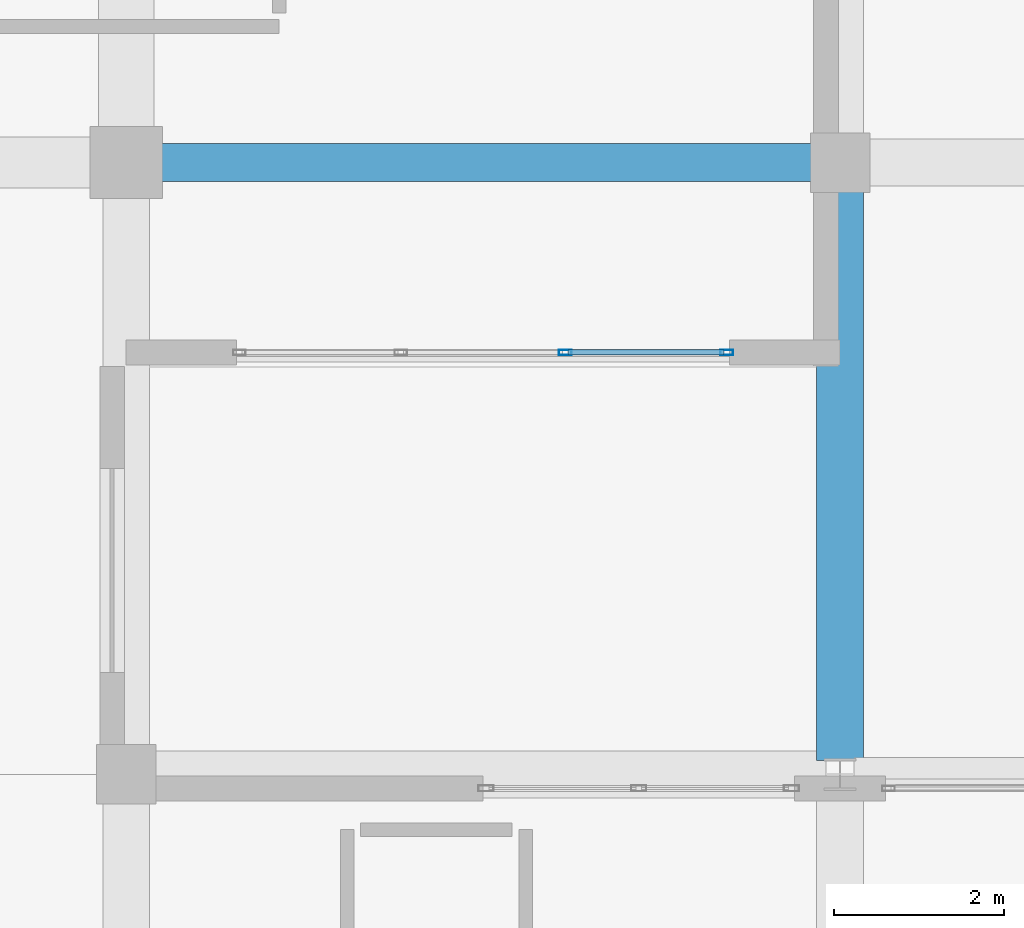
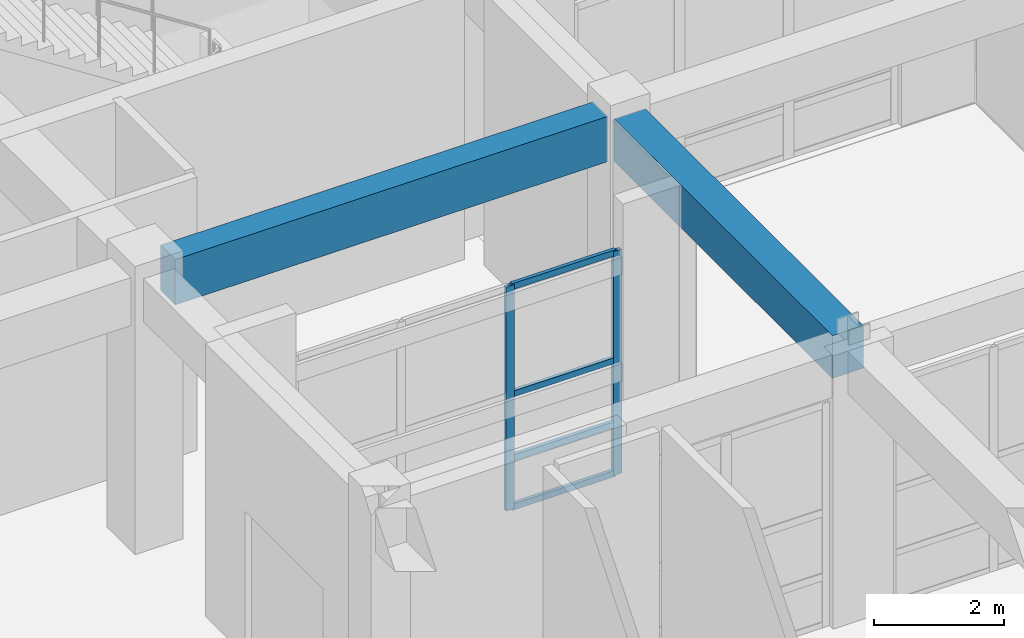
# One storey, part 70 of 148: 6 members, 2 beams, 1 element without a shape of its own.
"""IFC4 building model written with IfcOpenShell, lengths in metres."""

from ifc_helpers import new_model, si_unit, direction, frame, origin, origin_2d, place, context, subcontext, project, spatial, rectangle, hollow_rectangle, extrude, material, layer, layer_set, material_profile, profile_set, type_object, element, aggregate, save


model = new_model("IFC4")

# Units and contexts
model_context = context("Model", 3, precision=1e-05, world=origin(), true_north=direction((0.0, 1.0)))
body_context = subcontext(model_context, "Body", "Model", "MODEL_VIEW")
ifc_project = project(units=[si_unit("LENGTHUNIT", "METRE"), si_unit("AREAUNIT", "SQUARE_METRE"), si_unit("VOLUMEUNIT", "CUBIC_METRE"), si_unit("PLANEANGLEUNIT", "RADIAN"), si_unit("MASSUNIT", "GRAM", prefix="KILO")], contexts=[model_context])

# Site, building, storey
site_placement = place(None, origin())
site = spatial("IfcSite", under=ifc_project, at=site_placement, CompositionType="ELEMENT")
building_placement = place(site_placement, origin())
building = spatial("IfcBuilding", under=site, at=building_placement, Name="Quendrovan Civic Courthouse", CompositionType="ELEMENT")
storey_placement = place(building_placement, origin())
storey = spatial("IfcBuildingStorey", under=building, at=storey_placement, Name="L01", CompositionType="ELEMENT", Elevation=0.0)

# Beams
ifc_material_1 = material(Name="Concrete C40/50", Category="concrete")
ifc_material_profile_1 = material_profile(ifc_material_1, rectangle(XDim=0.550048828125, YDim=0.800048828125, at=origin_2d()), Name="RC-BM-550x800")
ifc_profile_set_1 = profile_set([ifc_material_profile_1], Name="Concrete C40/50")
beam_type_1 = type_object("IfcBeamType", Name="BM-RC800", PredefinedType="BEAM", material=ifc_profile_set_1)
beam_1_placement = place(storey_placement, frame((92.39990234375, 80.56591796875, 4.719970703125), z_axis=(0.0, 1.0, 0.0), x_axis=(-1.0, 0.0, 0.0)))
element("IfcBeam", 1, at=beam_1_placement, inside=storey, type_object=beam_type_1, Name="L01 Girder Y0445", PredefinedType="BEAM", context=body_context, shape_type="SweptSolid", body=[
    extrude(rectangle(XDim=0.550048828125, YDim=0.800048828125, at=origin_2d()), origin(), (0.0, 0.0, 1.0), 6.7041015625),
])
ifc_material_2 = material(Name="Concrete C45/55", Category="concrete")
ifc_material_profile_2 = material_profile(ifc_material_2, rectangle(XDim=0.449951171875, YDim=0.85009765625, at=origin_2d()), Name="RC-BM-450x850")
ifc_profile_set_2 = profile_set([ifc_material_profile_2], Name="Concrete C45/55")
beam_type_2 = type_object("IfcBeamType", Name="BM-RC850", PredefinedType="BEAM", material=ifc_profile_set_2)
beam_2_placement = place(storey_placement, frame((84.405029296875, 87.60009765625, 4.695068359375), z_axis=(1.0, 0.0, 0.0), x_axis=(0.0, 1.0, 0.0)))
element("IfcBeam", 2, at=beam_2_placement, inside=storey, type_object=beam_type_2, Name="L01 Girder X0322", PredefinedType="BEAM", context=body_context, shape_type="SweptSolid", body=[
    extrude(rectangle(XDim=0.449951171875, YDim=0.85009765625, at=origin_2d()), origin(), (0.0, 0.0, 1.0), 7.6650390625),
])

# Curtain wall, members
ifc_material_3 = material(Name="Bronze anodised aluminium and low-E glass", Category="aluminium")
ifc_layer = layer(ifc_material_3, 0.179931640625, Name="Bronze anodised aluminium and low-E glass")
ifc_layer_set = layer_set([ifc_layer], Name="Bronze anodised aluminium and low-E glass")
curtain_wall_type = type_object("IfcCurtainWallType", Name="CW-U58x42", PredefinedType="USERDEFINED", material=ifc_layer_set)
curtain_wall_placement = place(storey_placement, origin())
curtain_wall = element("IfcCurtainWall", 3, at=curtain_wall_placement, inside=storey, type_object=curtain_wall_type, Name="L01 Unitised Hurricane Curtain Wall CW-051", ObjectType="UNITISED CURTAIN WALL", PredefinedType="USERDEFINED")
ifc_material_4 = material(Name="Bronze anodised aluminium", Category="aluminium")
ifc_material_profile_3 = material_profile(ifc_material_4, hollow_rectangle(XDim=0.06494140625, YDim=0.14990234375, WallThickness=0.00390625, at=origin_2d()), Name="CW-MULL-65x150")
ifc_profile_set_3 = profile_set([ifc_material_profile_3], Name="Bronze anodised aluminium")
member_type_1 = type_object("IfcMemberType", Name="CW-MULL-B", PredefinedType="MULLION", material=ifc_profile_set_3)
member_1_placement = place(storey_placement, frame((91.0673828125, 85.364990234375, 0.0), z_axis=(0.0, 0.0, 1.0), x_axis=(0.0, -1.0, 0.0)))
member_1 = element("IfcMember", 4, at=member_1_placement, type_object=member_type_1, Name="CW-051 mullion 1", PredefinedType="MULLION", context=body_context, shape_type="SweptSolid", body=[
    extrude(hollow_rectangle(XDim=0.06494140625, YDim=0.14990234375, WallThickness=0.00390625, at=origin_2d()), origin(), (0.0, 0.0, 1.0), 4.199951171875),
])
member_2_placement = place(storey_placement, frame((89.166748046875, 85.364990234375, 0.0), z_axis=(0.0, 0.0, 1.0), x_axis=(0.0, -1.0, 0.0)))
member_2 = element("IfcMember", 5, at=member_2_placement, type_object=member_type_1, Name="CW-051 mullion 2", PredefinedType="MULLION", context=body_context, shape_type="SweptSolid", body=[
    extrude(hollow_rectangle(XDim=0.06494140625, YDim=0.14990234375, WallThickness=0.00390625, at=origin_2d()), origin(), (0.0, 0.0, 1.0), 4.199951171875),
])
ifc_material_profile_4 = material_profile(ifc_material_4, hollow_rectangle(XDim=0.06494140625, YDim=0.114990234375, WallThickness=0.00390625, at=origin_2d()), Name="CW-TRAN-65x115")
ifc_profile_set_4 = profile_set([ifc_material_profile_4], Name="Bronze anodised aluminium")
member_type_2 = type_object("IfcMemberType", Name="CW-TRAN-B", PredefinedType="USERDEFINED", material=ifc_profile_set_4)
member_3_placement = place(storey_placement, frame((91.034912109375, 85.364990234375, 0.032470703125), z_axis=(-1.0, 0.0, 0.0), x_axis=(0.0, -1.0, 0.0)))
member_3 = element("IfcMember", 6, at=member_3_placement, type_object=member_type_2, Name="CW-051 transom 1.1", ObjectType="TRANSOM", PredefinedType="USERDEFINED", context=body_context, shape_type="SweptSolid", body=[
    extrude(hollow_rectangle(XDim=0.06494140625, YDim=0.114990234375, WallThickness=0.00390625, at=origin_2d()), origin(), (0.0, 0.0, 1.0), 1.835693359375),
])
member_4_placement = place(storey_placement, frame((91.034912109375, 85.364990234375, 0.949951171875), z_axis=(-1.0, 0.0, 0.0), x_axis=(0.0, -1.0, 0.0)))
member_4 = element("IfcMember", 7, at=member_4_placement, type_object=member_type_2, Name="CW-051 transom 1.2", ObjectType="TRANSOM", PredefinedType="USERDEFINED", context=body_context, shape_type="SweptSolid", body=[
    extrude(hollow_rectangle(XDim=0.06494140625, YDim=0.114990234375, WallThickness=0.00390625, at=origin_2d()), origin(), (0.0, 0.0, 1.0), 1.835693359375),
])
member_5_placement = place(storey_placement, frame((91.034912109375, 85.364990234375, 2.14990234375), z_axis=(-1.0, 0.0, 0.0), x_axis=(0.0, -1.0, 0.0)))
member_5 = element("IfcMember", 8, at=member_5_placement, type_object=member_type_2, Name="CW-051 transom 1.3", ObjectType="TRANSOM", PredefinedType="USERDEFINED", context=body_context, shape_type="SweptSolid", body=[
    extrude(hollow_rectangle(XDim=0.06494140625, YDim=0.114990234375, WallThickness=0.00390625, at=origin_2d()), origin(), (0.0, 0.0, 1.0), 1.835693359375),
])
member_6_placement = place(storey_placement, frame((91.034912109375, 85.364990234375, 4.16748046875), z_axis=(-1.0, 0.0, 0.0), x_axis=(0.0, -1.0, 0.0)))
member_6 = element("IfcMember", 9, at=member_6_placement, type_object=member_type_2, Name="CW-051 transom 1.4", ObjectType="TRANSOM", PredefinedType="USERDEFINED", context=body_context, shape_type="SweptSolid", body=[
    extrude(hollow_rectangle(XDim=0.06494140625, YDim=0.114990234375, WallThickness=0.00390625, at=origin_2d()), origin(), (0.0, 0.0, 1.0), 1.835693359375),
])
aggregate(curtain_wall, [member_1, member_2, member_3, member_4, member_5, member_6])

save(model, "model.ifc")
